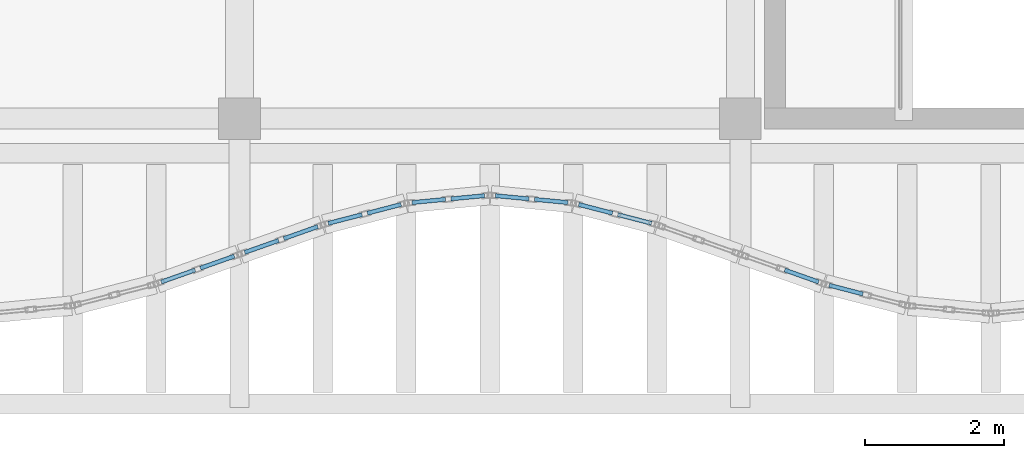
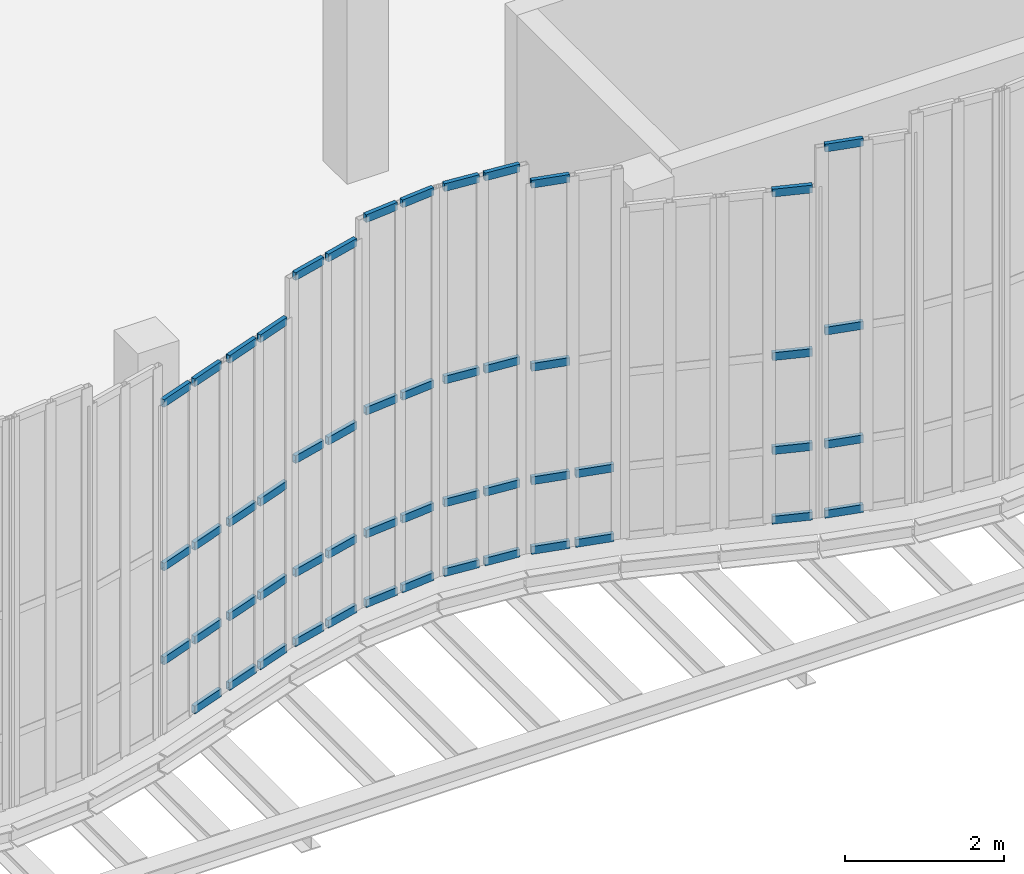
# One storey, part 35 of 76: 53 members, 8 elements without a shape of their own.
"""IFC4 building model written with IfcOpenShell, lengths in metres."""

from ifc_helpers import new_model, si_unit, direction, frame, origin, origin_2d, place, context, subcontext, project, spatial, hollow_rectangle, extrude, material, layer, layer_set, material_profile, profile_set, type_object, element, aggregate, save


model = new_model("IFC4")

# Units and contexts
model_context = context("Model", 3, precision=1e-05, world=origin(), true_north=direction((0.0, 1.0)))
body_context = subcontext(model_context, "Body", "Model", "MODEL_VIEW")
ifc_project = project(units=[si_unit("LENGTHUNIT", "METRE"), si_unit("AREAUNIT", "SQUARE_METRE"), si_unit("VOLUMEUNIT", "CUBIC_METRE"), si_unit("PLANEANGLEUNIT", "RADIAN"), si_unit("MASSUNIT", "GRAM", prefix="KILO"), si_unit("THERMODYNAMICTEMPERATUREUNIT", "KELVIN"), si_unit("POWERUNIT", "WATT")], contexts=[model_context])

# Site, building, storey
site_placement = place(None, origin())
site = spatial("IfcSite", under=ifc_project, at=site_placement, CompositionType="ELEMENT")
building_placement = place(site_placement, origin())
building = spatial("IfcBuilding", under=site, at=building_placement, Name="Kaldorven Railside Theatre", CompositionType="ELEMENT")
storey_placement = place(building_placement, frame((0.0, 0.0, 14.39990234375)))
storey = spatial("IfcBuildingStorey", under=building, at=storey_placement, Name="L03", CompositionType="ELEMENT", Elevation=14.39990234375)

# Curtain wall, members
ifc_material_1 = material(Name="Low-E laminated solar-control glass", Category="glass")
ifc_layer_1 = layer(ifc_material_1, 0.159912109375, Name="Low-E laminated solar-control glass")
ifc_layer_set_1 = layer_set([ifc_layer_1], Name="Low-E laminated solar-control glass")
curtain_wall_type_1 = type_object("IfcCurtainWallType", Name="CWT-08", PredefinedType="USERDEFINED", material=ifc_layer_set_1)
curtain_wall_1_placement = place(storey_placement, origin())
curtain_wall_1 = element("IfcCurtainWall", 1, at=curtain_wall_1_placement, inside=storey, type_object=curtain_wall_type_1, Name="Sinusoidal Fluted Curtain Wall CW-L03-S12", ObjectType="FLUTED GLAZING", PredefinedType="USERDEFINED")
ifc_material_2 = material(Name="Anodised bronze aluminium", Category="aluminium")
ifc_material_profile = material_profile(ifc_material_2, hollow_rectangle(XDim=0.06005859375, YDim=0.1201171875, WallThickness=0.0048828125, at=origin_2d()), Name="RHS 120x60x5")
ifc_profile_set = profile_set([ifc_material_profile], Name="Anodised bronze aluminium")
member_type = type_object("IfcMemberType", Name="CWT-120", PredefinedType="USERDEFINED", material=ifc_profile_set)
member_1_placement = place(storey_placement, frame((50.075439453125, 16.851806640625, 1.10009765625), z_axis=(0.942658214948, 0.333759628763, 0.0), x_axis=(-0.333759628763, 0.942658214948, 0.0)))
member_1 = element("IfcMember", 2, at=member_1_placement, type_object=member_type, Name="CW-L03-S12 transom 1.2", ObjectType="TRANSOM", PredefinedType="USERDEFINED", context=body_context, shape_type="SweptSolid", body=[
    extrude(hollow_rectangle(XDim=0.06005859375, YDim=0.1201171875, WallThickness=0.0048828125, at=origin_2d()), origin(), (0.0, 0.0, 1.0), 0.516357421875),
])
member_2_placement = place(storey_placement, frame((50.075439453125, 16.851806640625, 2.545166015625), z_axis=(0.942658214948, 0.333759628763, 0.0), x_axis=(-0.333759628763, 0.942658214948, 0.0)))
member_2 = element("IfcMember", 3, at=member_2_placement, type_object=member_type, Name="CW-L03-S12 transom 1.3", ObjectType="TRANSOM", PredefinedType="USERDEFINED", context=body_context, shape_type="SweptSolid", body=[
    extrude(hollow_rectangle(XDim=0.06005859375, YDim=0.1201171875, WallThickness=0.0048828125, at=origin_2d()), origin(), (0.0, 0.0, 1.0), 0.516357421875),
])
member_3_placement = place(storey_placement, frame((50.075439453125, 16.851806640625, 5.06005859375), z_axis=(0.942658214948, 0.333759628763, 0.0), x_axis=(-0.333759628763, 0.942658214948, 0.0)))
member_3 = element("IfcMember", 4, at=member_3_placement, type_object=member_type, Name="CW-L03-S12 transom 1.4", ObjectType="TRANSOM", PredefinedType="USERDEFINED", context=body_context, shape_type="SweptSolid", body=[
    extrude(hollow_rectangle(XDim=0.06005859375, YDim=0.1201171875, WallThickness=0.0048828125, at=origin_2d()), origin(), (0.0, 0.0, 1.0), 0.516357421875),
])
member_4_placement = place(storey_placement, frame((50.6376953125, 17.05078125, 0.030029296875), z_axis=(0.942509408488, 0.334179614745, 0.0), x_axis=(-0.334179614745, 0.942509408488, 0.0)))
member_4 = element("IfcMember", 5, at=member_4_placement, type_object=member_type, Name="CW-L03-S12 transom 2.1", ObjectType="TRANSOM", PredefinedType="USERDEFINED", context=body_context, shape_type="SweptSolid", body=[
    extrude(hollow_rectangle(XDim=0.06005859375, YDim=0.1201171875, WallThickness=0.0048828125, at=origin_2d()), origin(), (0.0, 0.0, 1.0), 0.5166015625),
])
member_5_placement = place(storey_placement, frame((50.6376953125, 17.05078125, 1.10009765625), z_axis=(0.942509408488, 0.334179614745, 0.0), x_axis=(-0.334179614745, 0.942509408488, 0.0)))
member_5 = element("IfcMember", 6, at=member_5_placement, type_object=member_type, Name="CW-L03-S12 transom 2.2", ObjectType="TRANSOM", PredefinedType="USERDEFINED", context=body_context, shape_type="SweptSolid", body=[
    extrude(hollow_rectangle(XDim=0.06005859375, YDim=0.1201171875, WallThickness=0.0048828125, at=origin_2d()), origin(), (0.0, 0.0, 1.0), 0.5166015625),
])
member_6_placement = place(storey_placement, frame((50.6376953125, 17.05078125, 2.545166015625), z_axis=(0.942509408488, 0.334179614745, 0.0), x_axis=(-0.334179614745, 0.942509408488, 0.0)))
member_6 = element("IfcMember", 7, at=member_6_placement, type_object=member_type, Name="CW-L03-S12 transom 2.3", ObjectType="TRANSOM", PredefinedType="USERDEFINED", context=body_context, shape_type="SweptSolid", body=[
    extrude(hollow_rectangle(XDim=0.06005859375, YDim=0.1201171875, WallThickness=0.0048828125, at=origin_2d()), origin(), (0.0, 0.0, 1.0), 0.5166015625),
])
member_7_placement = place(storey_placement, frame((50.6376953125, 17.05078125, 5.06005859375), z_axis=(0.942509408488, 0.334179614745, 0.0), x_axis=(-0.334179614745, 0.942509408488, 0.0)))
member_7 = element("IfcMember", 8, at=member_7_placement, type_object=member_type, Name="CW-L03-S12 transom 2.4", ObjectType="TRANSOM", PredefinedType="USERDEFINED", context=body_context, shape_type="SweptSolid", body=[
    extrude(hollow_rectangle(XDim=0.06005859375, YDim=0.1201171875, WallThickness=0.0048828125, at=origin_2d()), origin(), (0.0, 0.0, 1.0), 0.5166015625),
])
aggregate(curtain_wall_1, [member_1, member_2, member_3, member_4, member_5, member_6, member_7])

curtain_wall_2_placement = place(storey_placement, origin())
curtain_wall_2 = element("IfcCurtainWall", 9, at=curtain_wall_2_placement, inside=storey, type_object=curtain_wall_type_1, Name="Sinusoidal Fluted Curtain Wall CW-L03-S13", ObjectType="FLUTED GLAZING", PredefinedType="USERDEFINED")
member_8_placement = place(storey_placement, frame((51.275390625, 17.276611328125, 0.030029296875), z_axis=(0.942509408488, 0.334179614745, 0.0), x_axis=(-0.334179614745, 0.942509408488, 0.0)))
member_8 = element("IfcMember", 10, at=member_8_placement, type_object=member_type, Name="CW-L03-S13 transom 1.1", ObjectType="TRANSOM", PredefinedType="USERDEFINED", context=body_context, shape_type="SweptSolid", body=[
    extrude(hollow_rectangle(XDim=0.06005859375, YDim=0.1201171875, WallThickness=0.0048828125, at=origin_2d()), origin(), (0.0, 0.0, 1.0), 0.5166015625),
])
member_9_placement = place(storey_placement, frame((51.275390625, 17.276611328125, 1.10009765625), z_axis=(0.942509408488, 0.334179614745, 0.0), x_axis=(-0.334179614745, 0.942509408488, 0.0)))
member_9 = element("IfcMember", 11, at=member_9_placement, type_object=member_type, Name="CW-L03-S13 transom 1.2", ObjectType="TRANSOM", PredefinedType="USERDEFINED", context=body_context, shape_type="SweptSolid", body=[
    extrude(hollow_rectangle(XDim=0.06005859375, YDim=0.1201171875, WallThickness=0.0048828125, at=origin_2d()), origin(), (0.0, 0.0, 1.0), 0.5166015625),
])
member_10_placement = place(storey_placement, frame((51.275390625, 17.276611328125, 2.545166015625), z_axis=(0.942509408488, 0.334179614745, 0.0), x_axis=(-0.334179614745, 0.942509408488, 0.0)))
member_10 = element("IfcMember", 12, at=member_10_placement, type_object=member_type, Name="CW-L03-S13 transom 1.3", ObjectType="TRANSOM", PredefinedType="USERDEFINED", context=body_context, shape_type="SweptSolid", body=[
    extrude(hollow_rectangle(XDim=0.06005859375, YDim=0.1201171875, WallThickness=0.0048828125, at=origin_2d()), origin(), (0.0, 0.0, 1.0), 0.5166015625),
])
member_11_placement = place(storey_placement, frame((51.275390625, 17.276611328125, 5.06005859375), z_axis=(0.942509408488, 0.334179614745, 0.0), x_axis=(-0.334179614745, 0.942509408488, 0.0)))
member_11 = element("IfcMember", 13, at=member_11_placement, type_object=member_type, Name="CW-L03-S13 transom 1.4", ObjectType="TRANSOM", PredefinedType="USERDEFINED", context=body_context, shape_type="SweptSolid", body=[
    extrude(hollow_rectangle(XDim=0.06005859375, YDim=0.1201171875, WallThickness=0.0048828125, at=origin_2d()), origin(), (0.0, 0.0, 1.0), 0.5166015625),
])
member_12_placement = place(storey_placement, frame((51.837646484375, 17.475830078125, 0.030029296875), z_axis=(0.942710841688, 0.333610954502, 0.0), x_axis=(-0.333610954502, 0.942710841688, 0.0)))
member_12 = element("IfcMember", 14, at=member_12_placement, type_object=member_type, Name="CW-L03-S13 transom 2.1", ObjectType="TRANSOM", PredefinedType="USERDEFINED", context=body_context, shape_type="SweptSolid", body=[
    extrude(hollow_rectangle(XDim=0.06005859375, YDim=0.1201171875, WallThickness=0.0048828125, at=origin_2d()), origin(), (0.0, 0.0, 1.0), 0.5166015625),
])
member_13_placement = place(storey_placement, frame((51.837646484375, 17.475830078125, 1.10009765625), z_axis=(0.942710841688, 0.333610954502, 0.0), x_axis=(-0.333610954502, 0.942710841688, 0.0)))
member_13 = element("IfcMember", 15, at=member_13_placement, type_object=member_type, Name="CW-L03-S13 transom 2.2", ObjectType="TRANSOM", PredefinedType="USERDEFINED", context=body_context, shape_type="SweptSolid", body=[
    extrude(hollow_rectangle(XDim=0.06005859375, YDim=0.1201171875, WallThickness=0.0048828125, at=origin_2d()), origin(), (0.0, 0.0, 1.0), 0.5166015625),
])
member_14_placement = place(storey_placement, frame((51.837646484375, 17.475830078125, 2.545166015625), z_axis=(0.942710841688, 0.333610954502, 0.0), x_axis=(-0.333610954502, 0.942710841688, 0.0)))
member_14 = element("IfcMember", 16, at=member_14_placement, type_object=member_type, Name="CW-L03-S13 transom 2.3", ObjectType="TRANSOM", PredefinedType="USERDEFINED", context=body_context, shape_type="SweptSolid", body=[
    extrude(hollow_rectangle(XDim=0.06005859375, YDim=0.1201171875, WallThickness=0.0048828125, at=origin_2d()), origin(), (0.0, 0.0, 1.0), 0.5166015625),
])
member_15_placement = place(storey_placement, frame((51.837646484375, 17.475830078125, 5.06005859375), z_axis=(0.942710841688, 0.333610954502, 0.0), x_axis=(-0.333610954502, 0.942710841688, 0.0)))
member_15 = element("IfcMember", 17, at=member_15_placement, type_object=member_type, Name="CW-L03-S13 transom 2.4", ObjectType="TRANSOM", PredefinedType="USERDEFINED", context=body_context, shape_type="SweptSolid", body=[
    extrude(hollow_rectangle(XDim=0.06005859375, YDim=0.1201171875, WallThickness=0.0048828125, at=origin_2d()), origin(), (0.0, 0.0, 1.0), 0.5166015625),
])
aggregate(curtain_wall_2, [member_8, member_9, member_10, member_11, member_12, member_13, member_14, member_15])

ifc_layer_2 = layer(ifc_material_1, 0.159912109375, Name="Low-E laminated solar-control glass")
ifc_layer_set_2 = layer_set([ifc_layer_2], Name="Low-E laminated solar-control glass")
curtain_wall_type_2 = type_object("IfcCurtainWallType", Name="CWT-09", PredefinedType="USERDEFINED", material=ifc_layer_set_2)
curtain_wall_3_placement = place(storey_placement, origin())
curtain_wall_3 = element("IfcCurtainWall", 18, at=curtain_wall_3_placement, inside=storey, type_object=curtain_wall_type_2, Name="Sinusoidal Fluted Curtain Wall CW-L03-S14", ObjectType="FLUTED GLAZING", PredefinedType="USERDEFINED")
member_16_placement = place(storey_placement, frame((52.4775390625, 17.695068359375, 0.030029296875), z_axis=(0.967948521016, 0.251148682384, 0.0), x_axis=(-0.251148682384, 0.967948521016, 0.0)))
member_16 = element("IfcMember", 19, at=member_16_placement, type_object=member_type, Name="CW-L03-S14 transom 1.1", ObjectType="TRANSOM", PredefinedType="USERDEFINED", context=body_context, shape_type="SweptSolid", body=[
    extrude(hollow_rectangle(XDim=0.06005859375, YDim=0.1201171875, WallThickness=0.0048828125, at=origin_2d()), origin(), (0.0, 0.0, 1.0), 0.499755859375),
])
member_17_placement = place(storey_placement, frame((52.4775390625, 17.695068359375, 1.10009765625), z_axis=(0.967948521016, 0.251148682384, 0.0), x_axis=(-0.251148682384, 0.967948521016, 0.0)))
member_17 = element("IfcMember", 20, at=member_17_placement, type_object=member_type, Name="CW-L03-S14 transom 1.2", ObjectType="TRANSOM", PredefinedType="USERDEFINED", context=body_context, shape_type="SweptSolid", body=[
    extrude(hollow_rectangle(XDim=0.06005859375, YDim=0.1201171875, WallThickness=0.0048828125, at=origin_2d()), origin(), (0.0, 0.0, 1.0), 0.499755859375),
])
member_18_placement = place(storey_placement, frame((52.4775390625, 17.695068359375, 2.84521484375), z_axis=(0.967948521016, 0.251148682384, 0.0), x_axis=(-0.251148682384, 0.967948521016, 0.0)))
member_18 = element("IfcMember", 21, at=member_18_placement, type_object=member_type, Name="CW-L03-S14 transom 1.3", ObjectType="TRANSOM", PredefinedType="USERDEFINED", context=body_context, shape_type="SweptSolid", body=[
    extrude(hollow_rectangle(XDim=0.06005859375, YDim=0.1201171875, WallThickness=0.0048828125, at=origin_2d()), origin(), (0.0, 0.0, 1.0), 0.499755859375),
])
member_19_placement = place(storey_placement, frame((52.4775390625, 17.695068359375, 5.66015625), z_axis=(0.967948521016, 0.251148682384, 0.0), x_axis=(-0.251148682384, 0.967948521016, 0.0)))
member_19 = element("IfcMember", 22, at=member_19_placement, type_object=member_type, Name="CW-L03-S14 transom 1.4", ObjectType="TRANSOM", PredefinedType="USERDEFINED", context=body_context, shape_type="SweptSolid", body=[
    extrude(hollow_rectangle(XDim=0.06005859375, YDim=0.1201171875, WallThickness=0.0048828125, at=origin_2d()), origin(), (0.0, 0.0, 1.0), 0.499755859375),
])
member_20_placement = place(storey_placement, frame((53.038818359375, 17.840576171875, 0.030029296875), z_axis=(0.967948521016, 0.251148682384, 0.0), x_axis=(-0.251148682384, 0.967948521016, 0.0)))
member_20 = element("IfcMember", 23, at=member_20_placement, type_object=member_type, Name="CW-L03-S14 transom 2.1", ObjectType="TRANSOM", PredefinedType="USERDEFINED", context=body_context, shape_type="SweptSolid", body=[
    extrude(hollow_rectangle(XDim=0.06005859375, YDim=0.1201171875, WallThickness=0.0048828125, at=origin_2d()), origin(), (0.0, 0.0, 1.0), 0.499755859375),
])
member_21_placement = place(storey_placement, frame((53.038818359375, 17.840576171875, 1.10009765625), z_axis=(0.967948521016, 0.251148682384, 0.0), x_axis=(-0.251148682384, 0.967948521016, 0.0)))
member_21 = element("IfcMember", 24, at=member_21_placement, type_object=member_type, Name="CW-L03-S14 transom 2.2", ObjectType="TRANSOM", PredefinedType="USERDEFINED", context=body_context, shape_type="SweptSolid", body=[
    extrude(hollow_rectangle(XDim=0.06005859375, YDim=0.1201171875, WallThickness=0.0048828125, at=origin_2d()), origin(), (0.0, 0.0, 1.0), 0.499755859375),
])
member_22_placement = place(storey_placement, frame((53.038818359375, 17.840576171875, 2.84521484375), z_axis=(0.967948521016, 0.251148682384, 0.0), x_axis=(-0.251148682384, 0.967948521016, 0.0)))
member_22 = element("IfcMember", 25, at=member_22_placement, type_object=member_type, Name="CW-L03-S14 transom 2.3", ObjectType="TRANSOM", PredefinedType="USERDEFINED", context=body_context, shape_type="SweptSolid", body=[
    extrude(hollow_rectangle(XDim=0.06005859375, YDim=0.1201171875, WallThickness=0.0048828125, at=origin_2d()), origin(), (0.0, 0.0, 1.0), 0.499755859375),
])
member_23_placement = place(storey_placement, frame((53.038818359375, 17.840576171875, 5.66015625), z_axis=(0.967948521016, 0.251148682384, 0.0), x_axis=(-0.251148682384, 0.967948521016, 0.0)))
member_23 = element("IfcMember", 26, at=member_23_placement, type_object=member_type, Name="CW-L03-S14 transom 2.4", ObjectType="TRANSOM", PredefinedType="USERDEFINED", context=body_context, shape_type="SweptSolid", body=[
    extrude(hollow_rectangle(XDim=0.06005859375, YDim=0.1201171875, WallThickness=0.0048828125, at=origin_2d()), origin(), (0.0, 0.0, 1.0), 0.499755859375),
])
aggregate(curtain_wall_3, [member_16, member_17, member_18, member_19, member_20, member_21, member_22, member_23])

ifc_layer_3 = layer(ifc_material_1, 0.159912109375, Name="Low-E laminated solar-control glass")
ifc_layer_set_3 = layer_set([ifc_layer_3], Name="Low-E laminated solar-control glass")
curtain_wall_type_3 = type_object("IfcCurtainWallType", Name="CWT-10", PredefinedType="USERDEFINED", material=ifc_layer_set_3)
curtain_wall_4_placement = place(storey_placement, origin())
curtain_wall_4 = element("IfcCurtainWall", 27, at=curtain_wall_4_placement, inside=storey, type_object=curtain_wall_type_3, Name="Sinusoidal Fluted Curtain Wall CW-L03-S15", ObjectType="FLUTED GLAZING", PredefinedType="USERDEFINED")
member_24_placement = place(storey_placement, frame((53.6796875, 17.99365234375, 0.030029296875), z_axis=(0.995515910823, 0.094594245591, 0.0), x_axis=(-0.094594245591, 0.995515910823, 0.0)))
member_24 = element("IfcMember", 28, at=member_24_placement, type_object=member_type, Name="CW-L03-S15 transom 1.1", ObjectType="TRANSOM", PredefinedType="USERDEFINED", context=body_context, shape_type="SweptSolid", body=[
    extrude(hollow_rectangle(XDim=0.06005859375, YDim=0.1201171875, WallThickness=0.0048828125, at=origin_2d()), origin(), (0.0, 0.0, 1.0), 0.482666015625),
])
member_25_placement = place(storey_placement, frame((53.6796875, 17.99365234375, 1.10009765625), z_axis=(0.995515910823, 0.094594245591, 0.0), x_axis=(-0.094594245591, 0.995515910823, 0.0)))
member_25 = element("IfcMember", 29, at=member_25_placement, type_object=member_type, Name="CW-L03-S15 transom 1.2", ObjectType="TRANSOM", PredefinedType="USERDEFINED", context=body_context, shape_type="SweptSolid", body=[
    extrude(hollow_rectangle(XDim=0.06005859375, YDim=0.1201171875, WallThickness=0.0048828125, at=origin_2d()), origin(), (0.0, 0.0, 1.0), 0.482666015625),
])
member_26_placement = place(storey_placement, frame((53.6796875, 17.99365234375, 2.989990234375), z_axis=(0.995515910823, 0.094594245591, 0.0), x_axis=(-0.094594245591, 0.995515910823, 0.0)))
member_26 = element("IfcMember", 30, at=member_26_placement, type_object=member_type, Name="CW-L03-S15 transom 1.3", ObjectType="TRANSOM", PredefinedType="USERDEFINED", context=body_context, shape_type="SweptSolid", body=[
    extrude(hollow_rectangle(XDim=0.06005859375, YDim=0.1201171875, WallThickness=0.0048828125, at=origin_2d()), origin(), (0.0, 0.0, 1.0), 0.482666015625),
])
member_27_placement = place(storey_placement, frame((53.6796875, 17.99365234375, 5.9501953125), z_axis=(0.995515910823, 0.094594245591, 0.0), x_axis=(-0.094594245591, 0.995515910823, 0.0)))
member_27 = element("IfcMember", 31, at=member_27_placement, type_object=member_type, Name="CW-L03-S15 transom 1.4", ObjectType="TRANSOM", PredefinedType="USERDEFINED", context=body_context, shape_type="SweptSolid", body=[
    extrude(hollow_rectangle(XDim=0.06005859375, YDim=0.1201171875, WallThickness=0.0048828125, at=origin_2d()), origin(), (0.0, 0.0, 1.0), 0.482666015625),
])
member_28_placement = place(storey_placement, frame((54.23974609375, 18.046875, 0.030029296875), z_axis=(0.995520433802, 0.094546633378, 0.0), x_axis=(-0.094546633378, 0.995520433802, 0.0)))
member_28 = element("IfcMember", 32, at=member_28_placement, type_object=member_type, Name="CW-L03-S15 transom 2.1", ObjectType="TRANSOM", PredefinedType="USERDEFINED", context=body_context, shape_type="SweptSolid", body=[
    extrude(hollow_rectangle(XDim=0.06005859375, YDim=0.1201171875, WallThickness=0.0048828125, at=origin_2d()), origin(), (0.0, 0.0, 1.0), 0.48291015625),
])
member_29_placement = place(storey_placement, frame((54.23974609375, 18.046875, 1.10009765625), z_axis=(0.995520433802, 0.094546633378, 0.0), x_axis=(-0.094546633378, 0.995520433802, 0.0)))
member_29 = element("IfcMember", 33, at=member_29_placement, type_object=member_type, Name="CW-L03-S15 transom 2.2", ObjectType="TRANSOM", PredefinedType="USERDEFINED", context=body_context, shape_type="SweptSolid", body=[
    extrude(hollow_rectangle(XDim=0.06005859375, YDim=0.1201171875, WallThickness=0.0048828125, at=origin_2d()), origin(), (0.0, 0.0, 1.0), 0.48291015625),
])
member_30_placement = place(storey_placement, frame((54.23974609375, 18.046875, 2.989990234375), z_axis=(0.995520433802, 0.094546633378, 0.0), x_axis=(-0.094546633378, 0.995520433802, 0.0)))
member_30 = element("IfcMember", 34, at=member_30_placement, type_object=member_type, Name="CW-L03-S15 transom 2.3", ObjectType="TRANSOM", PredefinedType="USERDEFINED", context=body_context, shape_type="SweptSolid", body=[
    extrude(hollow_rectangle(XDim=0.06005859375, YDim=0.1201171875, WallThickness=0.0048828125, at=origin_2d()), origin(), (0.0, 0.0, 1.0), 0.48291015625),
])
member_31_placement = place(storey_placement, frame((54.23974609375, 18.046875, 5.9501953125), z_axis=(0.995520433802, 0.094546633378, 0.0), x_axis=(-0.094546633378, 0.995520433802, 0.0)))
member_31 = element("IfcMember", 35, at=member_31_placement, type_object=member_type, Name="CW-L03-S15 transom 2.4", ObjectType="TRANSOM", PredefinedType="USERDEFINED", context=body_context, shape_type="SweptSolid", body=[
    extrude(hollow_rectangle(XDim=0.06005859375, YDim=0.1201171875, WallThickness=0.0048828125, at=origin_2d()), origin(), (0.0, 0.0, 1.0), 0.48291015625),
])
aggregate(curtain_wall_4, [member_24, member_25, member_26, member_27, member_28, member_29, member_30, member_31])

curtain_wall_5_placement = place(storey_placement, origin())
curtain_wall_5 = element("IfcCurtainWall", 36, at=curtain_wall_5_placement, inside=storey, type_object=curtain_wall_type_3, Name="Sinusoidal Fluted Curtain Wall CW-L03-S16", ObjectType="FLUTED GLAZING", PredefinedType="USERDEFINED")
member_32_placement = place(storey_placement, frame((54.879638671875, 18.092529296875, 0.030029296875), z_axis=(0.995515910823, -0.094594245591, 0.0), x_axis=(0.094594245591, 0.995515910823, 0.0)))
member_32 = element("IfcMember", 37, at=member_32_placement, type_object=member_type, Name="CW-L03-S16 transom 1.1", ObjectType="TRANSOM", PredefinedType="USERDEFINED", context=body_context, shape_type="SweptSolid", body=[
    extrude(hollow_rectangle(XDim=0.06005859375, YDim=0.1201171875, WallThickness=0.0048828125, at=origin_2d()), origin(), (0.0, 0.0, 1.0), 0.482666015625),
])
member_33_placement = place(storey_placement, frame((54.879638671875, 18.092529296875, 1.10009765625), z_axis=(0.995515910823, -0.094594245591, 0.0), x_axis=(0.094594245591, 0.995515910823, 0.0)))
member_33 = element("IfcMember", 38, at=member_33_placement, type_object=member_type, Name="CW-L03-S16 transom 1.2", ObjectType="TRANSOM", PredefinedType="USERDEFINED", context=body_context, shape_type="SweptSolid", body=[
    extrude(hollow_rectangle(XDim=0.06005859375, YDim=0.1201171875, WallThickness=0.0048828125, at=origin_2d()), origin(), (0.0, 0.0, 1.0), 0.482666015625),
])
member_34_placement = place(storey_placement, frame((54.879638671875, 18.092529296875, 2.989990234375), z_axis=(0.995515910823, -0.094594245591, 0.0), x_axis=(0.094594245591, 0.995515910823, 0.0)))
member_34 = element("IfcMember", 39, at=member_34_placement, type_object=member_type, Name="CW-L03-S16 transom 1.3", ObjectType="TRANSOM", PredefinedType="USERDEFINED", context=body_context, shape_type="SweptSolid", body=[
    extrude(hollow_rectangle(XDim=0.06005859375, YDim=0.1201171875, WallThickness=0.0048828125, at=origin_2d()), origin(), (0.0, 0.0, 1.0), 0.482666015625),
])
member_35_placement = place(storey_placement, frame((54.879638671875, 18.092529296875, 5.9501953125), z_axis=(0.995515910823, -0.094594245591, 0.0), x_axis=(0.094594245591, 0.995515910823, 0.0)))
member_35 = element("IfcMember", 40, at=member_35_placement, type_object=member_type, Name="CW-L03-S16 transom 1.4", ObjectType="TRANSOM", PredefinedType="USERDEFINED", context=body_context, shape_type="SweptSolid", body=[
    extrude(hollow_rectangle(XDim=0.06005859375, YDim=0.1201171875, WallThickness=0.0048828125, at=origin_2d()), origin(), (0.0, 0.0, 1.0), 0.482666015625),
])
member_36_placement = place(storey_placement, frame((55.43994140625, 18.039306640625, 0.030029296875), z_axis=(0.995515910823, -0.094594245591, 0.0), x_axis=(0.094594245591, 0.995515910823, 0.0)))
member_36 = element("IfcMember", 41, at=member_36_placement, type_object=member_type, Name="CW-L03-S16 transom 2.1", ObjectType="TRANSOM", PredefinedType="USERDEFINED", context=body_context, shape_type="SweptSolid", body=[
    extrude(hollow_rectangle(XDim=0.06005859375, YDim=0.1201171875, WallThickness=0.0048828125, at=origin_2d()), origin(), (0.0, 0.0, 1.0), 0.482666015625),
])
member_37_placement = place(storey_placement, frame((55.43994140625, 18.039306640625, 1.10009765625), z_axis=(0.995515910823, -0.094594245591, 0.0), x_axis=(0.094594245591, 0.995515910823, 0.0)))
member_37 = element("IfcMember", 42, at=member_37_placement, type_object=member_type, Name="CW-L03-S16 transom 2.2", ObjectType="TRANSOM", PredefinedType="USERDEFINED", context=body_context, shape_type="SweptSolid", body=[
    extrude(hollow_rectangle(XDim=0.06005859375, YDim=0.1201171875, WallThickness=0.0048828125, at=origin_2d()), origin(), (0.0, 0.0, 1.0), 0.482666015625),
])
member_38_placement = place(storey_placement, frame((55.43994140625, 18.039306640625, 2.989990234375), z_axis=(0.995515910823, -0.094594245591, 0.0), x_axis=(0.094594245591, 0.995515910823, 0.0)))
member_38 = element("IfcMember", 43, at=member_38_placement, type_object=member_type, Name="CW-L03-S16 transom 2.3", ObjectType="TRANSOM", PredefinedType="USERDEFINED", context=body_context, shape_type="SweptSolid", body=[
    extrude(hollow_rectangle(XDim=0.06005859375, YDim=0.1201171875, WallThickness=0.0048828125, at=origin_2d()), origin(), (0.0, 0.0, 1.0), 0.482666015625),
])
member_39_placement = place(storey_placement, frame((55.43994140625, 18.039306640625, 5.9501953125), z_axis=(0.995515910823, -0.094594245591, 0.0), x_axis=(0.094594245591, 0.995515910823, 0.0)))
member_39 = element("IfcMember", 44, at=member_39_placement, type_object=member_type, Name="CW-L03-S16 transom 2.4", ObjectType="TRANSOM", PredefinedType="USERDEFINED", context=body_context, shape_type="SweptSolid", body=[
    extrude(hollow_rectangle(XDim=0.06005859375, YDim=0.1201171875, WallThickness=0.0048828125, at=origin_2d()), origin(), (0.0, 0.0, 1.0), 0.482666015625),
])
aggregate(curtain_wall_5, [member_32, member_33, member_34, member_35, member_36, member_37, member_38, member_39])

curtain_wall_6_placement = place(storey_placement, origin())
curtain_wall_6 = element("IfcCurtainWall", 45, at=curtain_wall_6_placement, inside=storey, type_object=curtain_wall_type_2, Name="Sinusoidal Fluted Curtain Wall CW-L03-S17", ObjectType="FLUTED GLAZING", PredefinedType="USERDEFINED")
member_40_placement = place(storey_placement, frame((56.077392578125, 17.966064453125, 0.030029296875), z_axis=(0.967979318949, -0.251029954561, 0.0), x_axis=(0.251029954561, 0.967979318949, 0.0)))
member_40 = element("IfcMember", 46, at=member_40_placement, type_object=member_type, Name="CW-L03-S17 transom 1.1", ObjectType="TRANSOM", PredefinedType="USERDEFINED", context=body_context, shape_type="SweptSolid", body=[
    extrude(hollow_rectangle(XDim=0.06005859375, YDim=0.1201171875, WallThickness=0.0048828125, at=origin_2d()), origin(), (0.0, 0.0, 1.0), 0.5),
])
member_41_placement = place(storey_placement, frame((56.077392578125, 17.966064453125, 1.10009765625), z_axis=(0.967979318949, -0.251029954561, 0.0), x_axis=(0.251029954561, 0.967979318949, 0.0)))
member_41 = element("IfcMember", 47, at=member_41_placement, type_object=member_type, Name="CW-L03-S17 transom 1.2", ObjectType="TRANSOM", PredefinedType="USERDEFINED", context=body_context, shape_type="SweptSolid", body=[
    extrude(hollow_rectangle(XDim=0.06005859375, YDim=0.1201171875, WallThickness=0.0048828125, at=origin_2d()), origin(), (0.0, 0.0, 1.0), 0.5),
])
member_42_placement = place(storey_placement, frame((56.077392578125, 17.966064453125, 2.84521484375), z_axis=(0.967979318949, -0.251029954561, 0.0), x_axis=(0.251029954561, 0.967979318949, 0.0)))
member_42 = element("IfcMember", 48, at=member_42_placement, type_object=member_type, Name="CW-L03-S17 transom 1.3", ObjectType="TRANSOM", PredefinedType="USERDEFINED", context=body_context, shape_type="SweptSolid", body=[
    extrude(hollow_rectangle(XDim=0.06005859375, YDim=0.1201171875, WallThickness=0.0048828125, at=origin_2d()), origin(), (0.0, 0.0, 1.0), 0.5),
])
member_43_placement = place(storey_placement, frame((56.077392578125, 17.966064453125, 5.66015625), z_axis=(0.967979318949, -0.251029954561, 0.0), x_axis=(0.251029954561, 0.967979318949, 0.0)))
member_43 = element("IfcMember", 49, at=member_43_placement, type_object=member_type, Name="CW-L03-S17 transom 1.4", ObjectType="TRANSOM", PredefinedType="USERDEFINED", context=body_context, shape_type="SweptSolid", body=[
    extrude(hollow_rectangle(XDim=0.06005859375, YDim=0.1201171875, WallThickness=0.0048828125, at=origin_2d()), origin(), (0.0, 0.0, 1.0), 0.5),
])
member_44_placement = place(storey_placement, frame((56.638671875, 17.820556640625, 0.030029296875), z_axis=(0.967979318949, -0.251029954561, 0.0), x_axis=(0.251029954561, 0.967979318949, 0.0)))
member_44 = element("IfcMember", 50, at=member_44_placement, type_object=member_type, Name="CW-L03-S17 transom 2.1", ObjectType="TRANSOM", PredefinedType="USERDEFINED", context=body_context, shape_type="SweptSolid", body=[
    extrude(hollow_rectangle(XDim=0.06005859375, YDim=0.1201171875, WallThickness=0.0048828125, at=origin_2d()), origin(), (0.0, 0.0, 1.0), 0.5),
])
member_45_placement = place(storey_placement, frame((56.638671875, 17.820556640625, 1.10009765625), z_axis=(0.967979318949, -0.251029954561, 0.0), x_axis=(0.251029954561, 0.967979318949, 0.0)))
member_45 = element("IfcMember", 51, at=member_45_placement, type_object=member_type, Name="CW-L03-S17 transom 2.2", ObjectType="TRANSOM", PredefinedType="USERDEFINED", context=body_context, shape_type="SweptSolid", body=[
    extrude(hollow_rectangle(XDim=0.06005859375, YDim=0.1201171875, WallThickness=0.0048828125, at=origin_2d()), origin(), (0.0, 0.0, 1.0), 0.5),
])
aggregate(curtain_wall_6, [member_40, member_41, member_42, member_43, member_44, member_45])

curtain_wall_7_placement = place(storey_placement, origin())
curtain_wall_7 = element("IfcCurtainWall", 52, at=curtain_wall_7_placement, inside=storey, type_object=curtain_wall_type_1, Name="Sinusoidal Fluted Curtain Wall CW-L03-S19", ObjectType="FLUTED GLAZING", PredefinedType="USERDEFINED")
member_46_placement = place(storey_placement, frame((59.03759765625, 17.024169921875, 0.030029296875), z_axis=(0.942710841688, -0.333610954502, 0.0), x_axis=(0.333610954502, 0.942710841688, 0.0)))
member_46 = element("IfcMember", 53, at=member_46_placement, type_object=member_type, Name="CW-L03-S19 transom 2.1", ObjectType="TRANSOM", PredefinedType="USERDEFINED", context=body_context, shape_type="SweptSolid", body=[
    extrude(hollow_rectangle(XDim=0.06005859375, YDim=0.1201171875, WallThickness=0.0048828125, at=origin_2d()), origin(), (0.0, 0.0, 1.0), 0.5166015625),
])
member_47_placement = place(storey_placement, frame((59.03759765625, 17.024169921875, 1.10009765625), z_axis=(0.942710841688, -0.333610954502, 0.0), x_axis=(0.333610954502, 0.942710841688, 0.0)))
member_47 = element("IfcMember", 54, at=member_47_placement, type_object=member_type, Name="CW-L03-S19 transom 2.2", ObjectType="TRANSOM", PredefinedType="USERDEFINED", context=body_context, shape_type="SweptSolid", body=[
    extrude(hollow_rectangle(XDim=0.06005859375, YDim=0.1201171875, WallThickness=0.0048828125, at=origin_2d()), origin(), (0.0, 0.0, 1.0), 0.5166015625),
])
member_48_placement = place(storey_placement, frame((59.03759765625, 17.024169921875, 2.545166015625), z_axis=(0.942710841688, -0.333610954502, 0.0), x_axis=(0.333610954502, 0.942710841688, 0.0)))
member_48 = element("IfcMember", 55, at=member_48_placement, type_object=member_type, Name="CW-L03-S19 transom 2.3", ObjectType="TRANSOM", PredefinedType="USERDEFINED", context=body_context, shape_type="SweptSolid", body=[
    extrude(hollow_rectangle(XDim=0.06005859375, YDim=0.1201171875, WallThickness=0.0048828125, at=origin_2d()), origin(), (0.0, 0.0, 1.0), 0.5166015625),
])
member_49_placement = place(storey_placement, frame((59.03759765625, 17.024169921875, 5.06005859375), z_axis=(0.942710841688, -0.333610954502, 0.0), x_axis=(0.333610954502, 0.942710841688, 0.0)))
member_49 = element("IfcMember", 56, at=member_49_placement, type_object=member_type, Name="CW-L03-S19 transom 2.4", ObjectType="TRANSOM", PredefinedType="USERDEFINED", context=body_context, shape_type="SweptSolid", body=[
    extrude(hollow_rectangle(XDim=0.06005859375, YDim=0.1201171875, WallThickness=0.0048828125, at=origin_2d()), origin(), (0.0, 0.0, 1.0), 0.5166015625),
])
aggregate(curtain_wall_7, [member_46, member_47, member_48, member_49])

curtain_wall_8_placement = place(storey_placement, origin())
curtain_wall_8 = element("IfcCurtainWall", 57, at=curtain_wall_8_placement, inside=storey, type_object=curtain_wall_type_2, Name="Sinusoidal Fluted Curtain Wall CW-L03-S20", ObjectType="FLUTED GLAZING", PredefinedType="USERDEFINED")
member_50_placement = place(storey_placement, frame((59.677490234375, 16.804931640625, 0.030029296875), z_axis=(0.967979318949, -0.251029954561, 0.0), x_axis=(0.251029954561, 0.967979318949, 0.0)))
member_50 = element("IfcMember", 58, at=member_50_placement, type_object=member_type, Name="CW-L03-S20 transom 1.1", ObjectType="TRANSOM", PredefinedType="USERDEFINED", context=body_context, shape_type="SweptSolid", body=[
    extrude(hollow_rectangle(XDim=0.06005859375, YDim=0.1201171875, WallThickness=0.0048828125, at=origin_2d()), origin(), (0.0, 0.0, 1.0), 0.5),
])
member_51_placement = place(storey_placement, frame((59.677490234375, 16.804931640625, 1.10009765625), z_axis=(0.967979318949, -0.251029954561, 0.0), x_axis=(0.251029954561, 0.967979318949, 0.0)))
member_51 = element("IfcMember", 59, at=member_51_placement, type_object=member_type, Name="CW-L03-S20 transom 1.2", ObjectType="TRANSOM", PredefinedType="USERDEFINED", context=body_context, shape_type="SweptSolid", body=[
    extrude(hollow_rectangle(XDim=0.06005859375, YDim=0.1201171875, WallThickness=0.0048828125, at=origin_2d()), origin(), (0.0, 0.0, 1.0), 0.5),
])
member_52_placement = place(storey_placement, frame((59.677490234375, 16.804931640625, 2.84521484375), z_axis=(0.967979318949, -0.251029954561, 0.0), x_axis=(0.251029954561, 0.967979318949, 0.0)))
member_52 = element("IfcMember", 60, at=member_52_placement, type_object=member_type, Name="CW-L03-S20 transom 1.3", ObjectType="TRANSOM", PredefinedType="USERDEFINED", context=body_context, shape_type="SweptSolid", body=[
    extrude(hollow_rectangle(XDim=0.06005859375, YDim=0.1201171875, WallThickness=0.0048828125, at=origin_2d()), origin(), (0.0, 0.0, 1.0), 0.5),
])
member_53_placement = place(storey_placement, frame((59.677490234375, 16.804931640625, 5.66015625), z_axis=(0.967979318949, -0.251029954561, 0.0), x_axis=(0.251029954561, 0.967979318949, 0.0)))
member_53 = element("IfcMember", 61, at=member_53_placement, type_object=member_type, Name="CW-L03-S20 transom 1.4", ObjectType="TRANSOM", PredefinedType="USERDEFINED", context=body_context, shape_type="SweptSolid", body=[
    extrude(hollow_rectangle(XDim=0.06005859375, YDim=0.1201171875, WallThickness=0.0048828125, at=origin_2d()), origin(), (0.0, 0.0, 1.0), 0.5),
])
aggregate(curtain_wall_8, [member_50, member_51, member_52, member_53])

save(model, "model.ifc")
